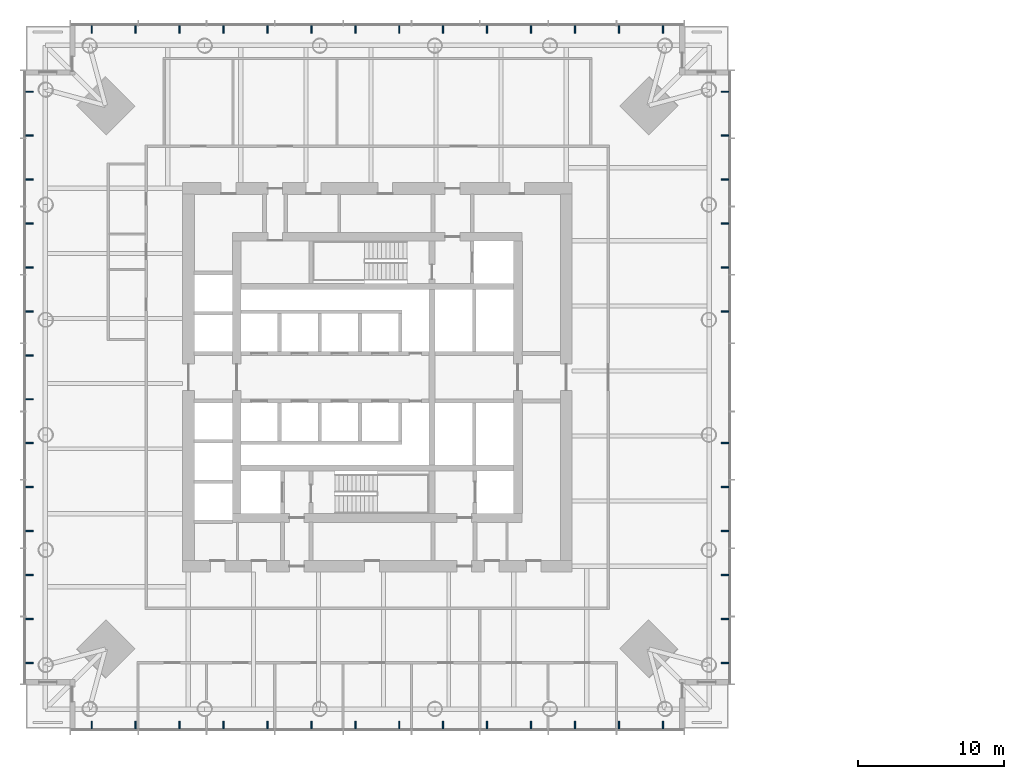
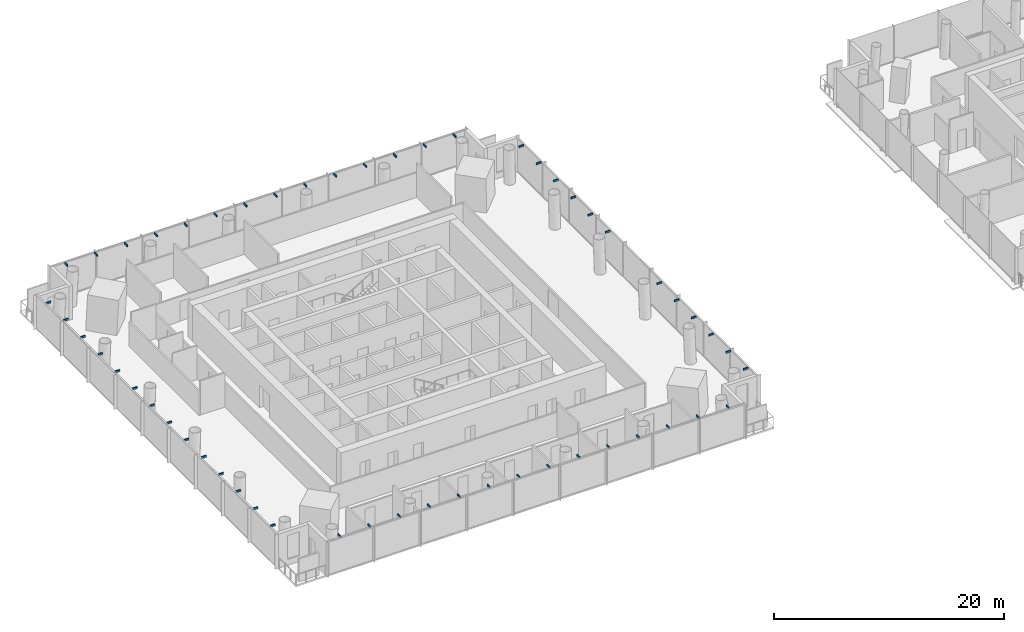
# One storey, part 17 of 22: 54 discrete accessories.
"""IFC4 building model written with IfcOpenShell, lengths in metres."""

from ifc_helpers import new_model, si_unit, direction, frame, origin, origin_2d, place, context, subcontext, project, spatial, rectangle, extrude, material, type_object, element, save


model = new_model("IFC4")

# Units and contexts
model_context = context("Model", 3, precision=1e-05, world=origin(), true_north=direction((0.0, 1.0)))
body_context = subcontext(model_context, "Body", "Model", "MODEL_VIEW")
ifc_project = project(units=[si_unit("LENGTHUNIT", "METRE"), si_unit("AREAUNIT", "SQUARE_METRE"), si_unit("VOLUMEUNIT", "CUBIC_METRE"), si_unit("PLANEANGLEUNIT", "RADIAN"), si_unit("MASSUNIT", "GRAM", prefix="KILO")], contexts=[model_context])

# Site, building, storey
site_placement = place(None, origin())
site = spatial("IfcSite", under=ifc_project, at=site_placement, CompositionType="ELEMENT")
building_placement = place(site_placement, origin())
building = spatial("IfcBuilding", under=site, at=building_placement, Name="Ostroluk Exchange", CompositionType="ELEMENT")
storey_placement = place(building_placement, frame((0.0, 0.0, 62.800048828125)))
storey = spatial("IfcBuildingStorey", under=building, at=storey_placement, Name="L15", CompositionType="ELEMENT", Elevation=62.800048828125)

# Discrete accessories
ifc_material = material(Name="Steel S355", Category="steel")
discrete_accessory_type = type_object("IfcDiscreteAccessoryType", Name="Maintenance roof bracket", PredefinedType="BRACKET", material=ifc_material)
for number, where, z_axis, x_axis, name in (
    (1, (25.5, 22.25, 3.4501953125), (0.0, 0.0, 1.0), (1.0, 0.0, 0.0), "Maintenance roof bracket L16 south 1"),
    (2, (28.5, 22.25, 3.4501953125), (0.0, 0.0, 1.0), (1.0, 0.0, 0.0), "Maintenance roof bracket L16 south 2"),
    (3, (31.5, 22.25, 3.4501953125), (0.0, 0.0, 1.0), (1.0, 0.0, 0.0), "Maintenance roof bracket L16 south 3"),
    (4, (34.5, 22.25, 3.4501953125), (0.0, 0.0, 1.0), (1.0, 0.0, 0.0), "Maintenance roof bracket L16 south 4"),
    (5, (37.5, 22.25, 3.4501953125), (0.0, 0.0, 1.0), (1.0, 0.0, 0.0), "Maintenance roof bracket L16 south 5"),
    (6, (40.5, 22.25, 3.4501953125), (0.0, 0.0, 1.0), (1.0, 0.0, 0.0), "Maintenance roof bracket L16 south 6"),
    (7, (43.5, 22.25, 3.4501953125), (0.0, 0.0, 1.0), (1.0, 0.0, 0.0), "Maintenance roof bracket L16 south 7"),
    (8, (46.5, 22.25, 3.4501953125), (0.0, 0.0, 1.0), (1.0, 0.0, 0.0), "Maintenance roof bracket L16 south 8"),
    (9, (49.5, 22.25, 3.4501953125), (0.0, 0.0, 1.0), (1.0, 0.0, 0.0), "Maintenance roof bracket L16 south 9"),
    (10, (52.5, 22.25, 3.4501953125), (0.0, 0.0, 1.0), (1.0, 0.0, 0.0), "Maintenance roof bracket L16 south 10"),
    (11, (55.5, 22.25, 3.4501953125), (0.0, 0.0, 1.0), (1.0, 0.0, 0.0), "Maintenance roof bracket L16 south 11"),
    (12, (58.5, 22.25, 3.4501953125), (0.0, 0.0, 1.0), (1.0, 0.0, 0.0), "Maintenance roof bracket L16 south 12"),
    (13, (61.5, 22.25, 3.4501953125), (0.0, 0.0, 1.0), (1.0, 0.0, 0.0), "Maintenance roof bracket L16 south 13"),
    (14, (64.5, 22.25, 3.4501953125), (0.0, 0.0, 1.0), (1.0, 0.0, 0.0), "Maintenance roof bracket L16 south 14"),
):
    element("IfcDiscreteAccessory", number, at=place(storey_placement, frame(where, z_axis=z_axis, x_axis=x_axis)), inside=storey, type_object=discrete_accessory_type, Name=name, PredefinedType="BRACKET", context=body_context, shape_type="SweptSolid", body=[
        extrude(rectangle(XDim=0.10009765625, YDim=0.5, at=origin_2d()), origin(), (0.0, 0.0, 1.0), 0.199951171875),
    ])
for number, where, z_axis, x_axis, name in (
    (15, (68.75, 26.5, 3.4501953125), (0.0, 0.0, 1.0), (1.0, 0.0, 0.0), "Maintenance roof bracket L16 east 1"),
    (16, (68.75, 29.5, 3.4501953125), (0.0, 0.0, 1.0), (1.0, 0.0, 0.0), "Maintenance roof bracket L16 east 2"),
    (17, (68.75, 32.5, 3.4501953125), (0.0, 0.0, 1.0), (1.0, 0.0, 0.0), "Maintenance roof bracket L16 east 3"),
    (18, (68.75, 35.5, 3.4501953125), (0.0, 0.0, 1.0), (1.0, 0.0, 0.0), "Maintenance roof bracket L16 east 4"),
    (19, (68.75, 38.5, 3.4501953125), (0.0, 0.0, 1.0), (1.0, 0.0, 0.0), "Maintenance roof bracket L16 east 5"),
    (20, (68.75, 41.5, 3.4501953125), (0.0, 0.0, 1.0), (1.0, 0.0, 0.0), "Maintenance roof bracket L16 east 6"),
    (21, (68.75, 50.5, 3.4501953125), (0.0, 0.0, 1.0), (1.0, 0.0, 0.0), "Maintenance roof bracket L16 east 9"),
    (22, (68.75, 53.5, 3.4501953125), (0.0, 0.0, 1.0), (1.0, 0.0, 0.0), "Maintenance roof bracket L16 east 10"),
    (23, (68.75, 56.5, 3.4501953125), (0.0, 0.0, 1.0), (1.0, 0.0, 0.0), "Maintenance roof bracket L16 east 11"),
    (24, (68.75, 59.5, 3.4501953125), (0.0, 0.0, 1.0), (1.0, 0.0, 0.0), "Maintenance roof bracket L16 east 12"),
    (25, (68.75, 62.5, 3.4501953125), (0.0, 0.0, 1.0), (1.0, 0.0, 0.0), "Maintenance roof bracket L16 east 13"),
    (26, (68.75, 65.5, 3.4501953125), (0.0, 0.0, 1.0), (1.0, 0.0, 0.0), "Maintenance roof bracket L16 east 14"),
):
    element("IfcDiscreteAccessory", number, at=place(storey_placement, frame(where, z_axis=z_axis, x_axis=x_axis)), inside=storey, type_object=discrete_accessory_type, Name=name, PredefinedType="BRACKET", context=body_context, shape_type="SweptSolid", body=[
        extrude(rectangle(XDim=0.5, YDim=0.10009765625, at=origin_2d()), origin(), (0.0, 0.0, 1.0), 0.199951171875),
    ])
for number, where, z_axis, x_axis, name in (
    (27, (25.5, 69.75, 3.4501953125), (0.0, 0.0, 1.0), (1.0, 0.0, 0.0), "Maintenance roof bracket L16 north 1"),
    (28, (28.5, 69.75, 3.4501953125), (0.0, 0.0, 1.0), (1.0, 0.0, 0.0), "Maintenance roof bracket L16 north 2"),
    (29, (31.5, 69.75, 3.4501953125), (0.0, 0.0, 1.0), (1.0, 0.0, 0.0), "Maintenance roof bracket L16 north 3"),
    (30, (34.5, 69.75, 3.4501953125), (0.0, 0.0, 1.0), (1.0, 0.0, 0.0), "Maintenance roof bracket L16 north 4"),
    (31, (37.5, 69.75, 3.4501953125), (0.0, 0.0, 1.0), (1.0, 0.0, 0.0), "Maintenance roof bracket L16 north 5"),
    (32, (40.5, 69.75, 3.4501953125), (0.0, 0.0, 1.0), (1.0, 0.0, 0.0), "Maintenance roof bracket L16 north 6"),
    (33, (43.5, 69.75, 3.4501953125), (0.0, 0.0, 1.0), (1.0, 0.0, 0.0), "Maintenance roof bracket L16 north 7"),
    (34, (46.5, 69.75, 3.4501953125), (0.0, 0.0, 1.0), (1.0, 0.0, 0.0), "Maintenance roof bracket L16 north 8"),
    (35, (49.5, 69.75, 3.4501953125), (0.0, 0.0, 1.0), (1.0, 0.0, 0.0), "Maintenance roof bracket L16 north 9"),
    (36, (52.5, 69.75, 3.4501953125), (0.0, 0.0, 1.0), (1.0, 0.0, 0.0), "Maintenance roof bracket L16 north 10"),
    (37, (55.5, 69.75, 3.4501953125), (0.0, 0.0, 1.0), (1.0, 0.0, 0.0), "Maintenance roof bracket L16 north 11"),
    (38, (58.5, 69.75, 3.4501953125), (0.0, 0.0, 1.0), (1.0, 0.0, 0.0), "Maintenance roof bracket L16 north 12"),
    (39, (61.5, 69.75, 3.4501953125), (0.0, 0.0, 1.0), (1.0, 0.0, 0.0), "Maintenance roof bracket L16 north 13"),
    (40, (64.5, 69.75, 3.4501953125), (0.0, 0.0, 1.0), (1.0, 0.0, 0.0), "Maintenance roof bracket L16 north 14"),
):
    element("IfcDiscreteAccessory", number, at=place(storey_placement, frame(where, z_axis=z_axis, x_axis=x_axis)), inside=storey, type_object=discrete_accessory_type, Name=name, PredefinedType="BRACKET", context=body_context, shape_type="SweptSolid", body=[
        extrude(rectangle(XDim=0.10009765625, YDim=0.5, at=origin_2d()), origin(), (0.0, 0.0, 1.0), 0.199951171875),
    ])
for number, where, z_axis, x_axis, name in (
    (41, (21.25, 26.5, 3.4501953125), (0.0, 0.0, 1.0), (1.0, 0.0, 0.0), "Maintenance roof bracket L16 west 1"),
    (42, (21.25, 29.5, 3.4501953125), (0.0, 0.0, 1.0), (1.0, 0.0, 0.0), "Maintenance roof bracket L16 west 2"),
    (43, (21.25, 32.5, 3.4501953125), (0.0, 0.0, 1.0), (1.0, 0.0, 0.0), "Maintenance roof bracket L16 west 3"),
    (44, (21.25, 35.5, 3.4501953125), (0.0, 0.0, 1.0), (1.0, 0.0, 0.0), "Maintenance roof bracket L16 west 4"),
    (45, (21.25, 38.5, 3.4501953125), (0.0, 0.0, 1.0), (1.0, 0.0, 0.0), "Maintenance roof bracket L16 west 5"),
    (46, (21.25, 41.5, 3.4501953125), (0.0, 0.0, 1.0), (1.0, 0.0, 0.0), "Maintenance roof bracket L16 west 6"),
    (47, (21.25, 44.5, 3.4501953125), (0.0, 0.0, 1.0), (1.0, 0.0, 0.0), "Maintenance roof bracket L16 west 7"),
    (48, (21.25, 47.5, 3.4501953125), (0.0, 0.0, 1.0), (1.0, 0.0, 0.0), "Maintenance roof bracket L16 west 8"),
    (49, (21.25, 50.5, 3.4501953125), (0.0, 0.0, 1.0), (1.0, 0.0, 0.0), "Maintenance roof bracket L16 west 9"),
    (50, (21.25, 53.5, 3.4501953125), (0.0, 0.0, 1.0), (1.0, 0.0, 0.0), "Maintenance roof bracket L16 west 10"),
    (51, (21.25, 56.5, 3.4501953125), (0.0, 0.0, 1.0), (1.0, 0.0, 0.0), "Maintenance roof bracket L16 west 11"),
    (52, (21.25, 59.5, 3.4501953125), (0.0, 0.0, 1.0), (1.0, 0.0, 0.0), "Maintenance roof bracket L16 west 12"),
    (53, (21.25, 62.5, 3.4501953125), (0.0, 0.0, 1.0), (1.0, 0.0, 0.0), "Maintenance roof bracket L16 west 13"),
    (54, (21.25, 65.5, 3.4501953125), (0.0, 0.0, 1.0), (1.0, 0.0, 0.0), "Maintenance roof bracket L16 west 14"),
):
    element("IfcDiscreteAccessory", number, at=place(storey_placement, frame(where, z_axis=z_axis, x_axis=x_axis)), inside=storey, type_object=discrete_accessory_type, Name=name, PredefinedType="BRACKET", context=body_context, shape_type="SweptSolid", body=[
        extrude(rectangle(XDim=0.5, YDim=0.10009765625, at=origin_2d()), origin(), (0.0, 0.0, 1.0), 0.199951171875),
    ])

save(model, "model.ifc")
